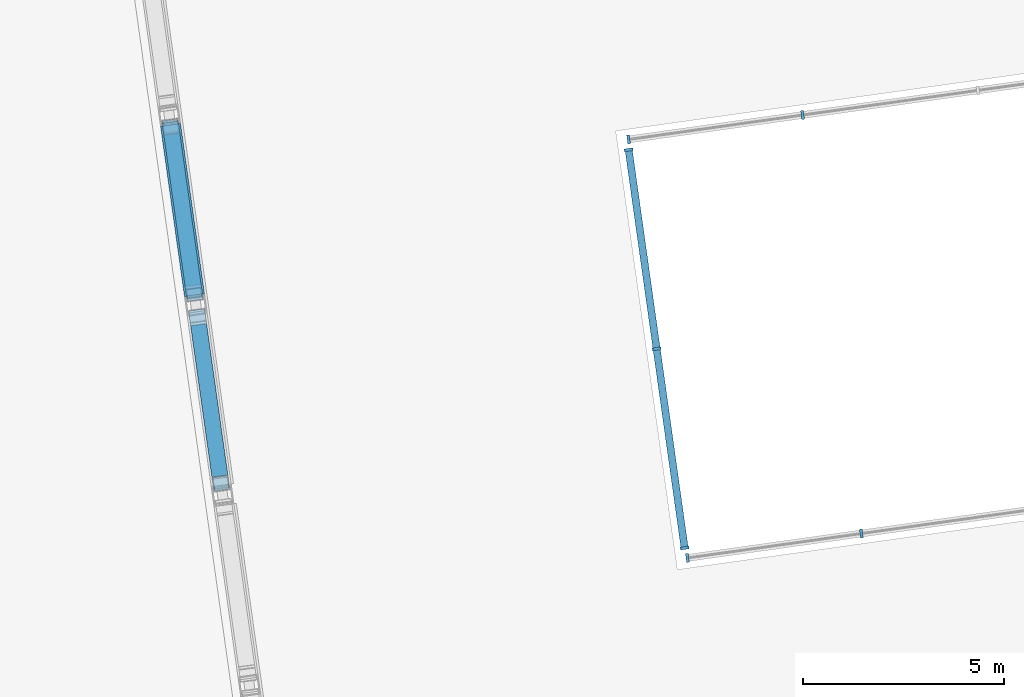
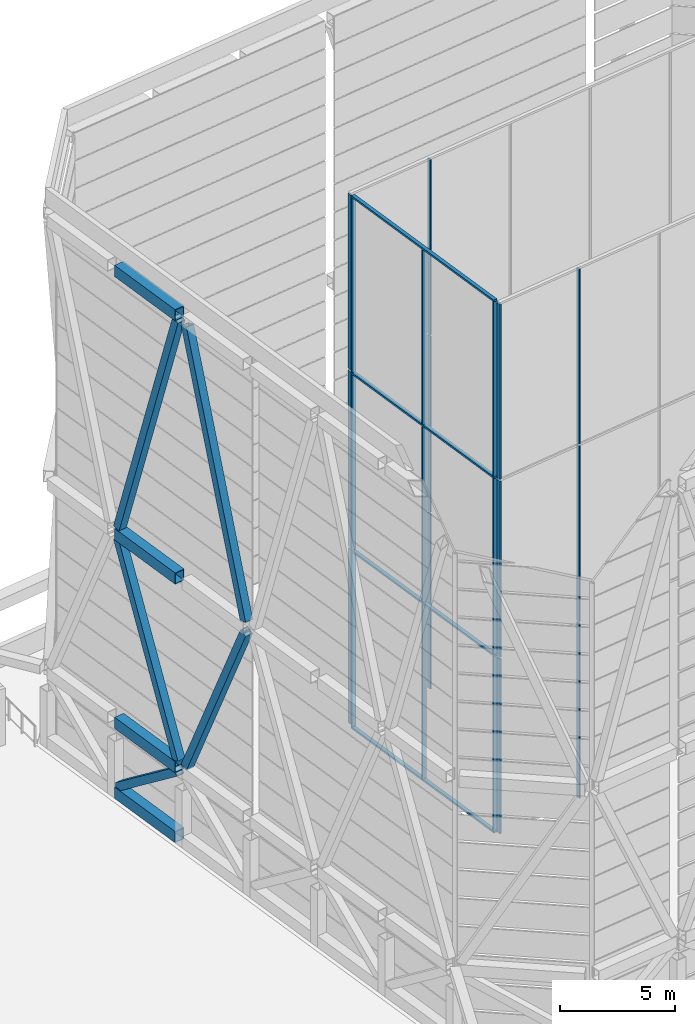
# One storey, part 11 of 45: 30 members, 4 beams, 3 elements without a shape of their own.
"""IFC4 building model written with IfcOpenShell, lengths in metres."""

from ifc_helpers import new_model, si_unit, direction, frame, origin, origin_2d, place, context, subcontext, project, spatial, rectangle, hollow_rectangle, extrude, material, material_profile, profile_set, type_object, element, aggregate, save


model = new_model("IFC4")

# Units and contexts
model_context = context("Model", 3, precision=1e-05, world=origin(), true_north=direction((0.0, 1.0)))
body_context = subcontext(model_context, "Body", "Model", "MODEL_VIEW")
ifc_project = project(units=[si_unit("LENGTHUNIT", "METRE"), si_unit("AREAUNIT", "SQUARE_METRE"), si_unit("VOLUMEUNIT", "CUBIC_METRE"), si_unit("PLANEANGLEUNIT", "RADIAN"), si_unit("MASSUNIT", "GRAM", prefix="KILO")], contexts=[model_context])

# Site, building, storey
site_placement = place(None, origin())
site = spatial("IfcSite", under=ifc_project, at=site_placement, CompositionType="ELEMENT")
building_placement = place(site_placement, origin())
building = spatial("IfcBuilding", under=site, at=building_placement, Name="Mirante Cascada Hotel Towers", CompositionType="ELEMENT")
storey_placement = place(building_placement, frame((0.0, 0.0, 269.8)))
storey = spatial("IfcBuildingStorey", under=building, at=storey_placement, Name="Roof garden", CompositionType="ELEMENT", Elevation=269.8)

# Beams
ifc_material_1 = material(Name="Steel ASTM A572 Gr 50", Category="steel")
ifc_material_profile_1 = material_profile(ifc_material_1, hollow_rectangle(XDim=0.5, YDim=0.6, WallThickness=0.03, at=origin_2d()), Name="Box beam 600x500x30 ASTM A572 Gr 50")
ifc_profile_set_1 = profile_set([ifc_material_profile_1], Name="Steel ASTM A572 Gr 50")
beam_type = type_object("IfcBeamType", Name="Box beam 600x500x30 ASTM A572 Gr 50", PredefinedType="BEAM", material=ifc_profile_set_1)
for number, where, z_axis, x_axis, name in (
    (1, (14.0162, 0.8242, 0.3), (-0.1391888, 0.9902659, 0.0), (-0.9902659, -0.1391888, 0.0), "CROWN FRAME ring beam T2 6"),
    (2, (14.0162, 0.8242, 4.0), (-0.1391888, 0.9902659, 0.0), (-0.9902659, -0.1391888, 0.0), "CROWN FRAME ring beam T2 36"),
    (3, (14.0162, 0.8242, 14.0), (-0.1391888, 0.9902659, 0.0), (-0.9902659, -0.1391888, 0.0), "CROWN FRAME ring beam T2 66"),
    (4, (14.0162, 0.8242, 27.95), (-0.1391888, 0.9902659, 0.0), (-0.9902659, -0.1391888, 0.0), "CROWN FRAME ring beam T2 96"),
):
    element("IfcBeam", number, at=place(storey_placement, frame(where, z_axis=z_axis, x_axis=x_axis)), inside=storey, type_object=beam_type, Name=name, PredefinedType="BEAM", context=body_context, shape_type="SweptSolid", body=[
        extrude(hollow_rectangle(XDim=0.5, YDim=0.6, WallThickness=0.03, at=origin_2d()), origin(), (0.0, 0.0, 1.0), 4.2712),
    ])

# Members
ifc_material_2 = material(Name="Steel ASTM A572 Gr 50", Category="steel")
ifc_material_profile_2 = material_profile(ifc_material_2, hollow_rectangle(XDim=0.4, YDim=0.4, WallThickness=0.025, at=origin_2d()), Name="Box brace 400x400x25 ASTM A572 Gr 50")
ifc_profile_set_2 = profile_set([ifc_material_profile_2], Name="Steel ASTM A572 Gr 50")
member_type_1 = type_object("IfcMemberType", Name="Box brace 400x400x25 ASTM A572 Gr 50", PredefinedType="BRACE", material=ifc_profile_set_2)
member_1_placement = place(storey_placement, frame((13.4287, 5.0043, 0.6), z_axis=(0.111699, -0.7948043, 0.5964977), x_axis=(0.9902687, 0.1391689, 0.0)))
element("IfcMember", 5, at=member_1_placement, inside=storey, type_object=member_type_1, Name="Hat truss diagonal T2 6", PredefinedType="BRACE", context=body_context, shape_type="SweptSolid", body=[
    extrude(hollow_rectangle(XDim=0.4, YDim=0.4, WallThickness=0.025, at=origin_2d()), origin(), (0.0, 0.0, 1.0), 5.197),
])
for number, where, z_axis, x_axis, name in (
    (6, (14.0927, 0.2795, 4.3), (0.0564474, -0.4016565, 0.9140491), (0.9902687, 0.1391689, 0.0), "CROWN FRAME brace T2 35"),
    (7, (14.0092, 0.8737, 4.3), (-0.0564474, 0.4016565, 0.9140491), (-0.9902687, -0.1391689, 0.0), "CROWN FRAME brace T2 36"),
):
    element("IfcMember", number, at=place(storey_placement, frame(where, z_axis=z_axis, x_axis=x_axis)), inside=storey, type_object=member_type_1, Name=name, PredefinedType="BRACE", context=body_context, shape_type="SweptSolid", body=[
        extrude(hollow_rectangle(XDim=0.4, YDim=0.4, WallThickness=0.025, at=origin_2d()), origin(), (0.0, 0.0, 1.0), 10.2839),
    ])
for number, where, z_axis, x_axis, name in (
    (8, (14.6732, -3.8511, 14.3), (-0.0415044, 0.2953283, 0.9544939), (-0.9902687, -0.1391689, 0.0), "CROWN FRAME brace T2 65"),
    (9, (13.4287, 5.0043, 14.3), (0.0415044, -0.2953283, 0.9544939), (0.9902687, 0.1391689, 0.0), "CROWN FRAME brace T2 66"),
):
    element("IfcMember", number, at=place(storey_placement, frame(where, z_axis=z_axis, x_axis=x_axis)), inside=storey, type_object=member_type_1, Name=name, PredefinedType="BRACE", context=body_context, shape_type="SweptSolid", body=[
        extrude(hollow_rectangle(XDim=0.4, YDim=0.4, WallThickness=0.025, at=origin_2d()), origin(), (0.0, 0.0, 1.0), 13.9865),
    ])

# Curtain wall, members
ifc_material_3 = material(Name="Aluminium mullion and transom frame with clear laminated glass", Category="aluminium")
curtain_wall_type = type_object("IfcCurtainWallType", Name="Atrium rooflight wall ECW6", PredefinedType="NOTDEFINED", material=ifc_material_3)
curtain_wall_1_placement = place(storey_placement, origin())
curtain_wall_1 = element("IfcCurtainWall", 10, at=curtain_wall_1_placement, inside=storey, type_object=curtain_wall_type, Name="Atrium rooflight wall T2 long rear", PredefinedType="NOTDEFINED")
ifc_material_4 = material(Name="Anodised aluminium extrusion", Category="aluminium")
ifc_material_profile_3 = material_profile(ifc_material_4, rectangle(XDim=0.22, YDim=0.07, at=origin_2d()), Name="ECW6 MULLION 70x220")
ifc_profile_set_3 = profile_set([ifc_material_profile_3], Name="Anodised aluminium extrusion")
member_type_2 = type_object("IfcMemberType", Name="ECW6 mullion 70x220", PredefinedType="MULLION", material=ifc_profile_set_3)
member_2_placement = place(storey_placement, frame((26.2644, -5.706, 0.1), z_axis=(0.0, 0.0, 1.0), x_axis=(-0.1391731, 0.9902681, 0.0)))
member_2 = element("IfcMember", 11, at=member_2_placement, type_object=member_type_2, Name="ECW6 mullion 1", PredefinedType="MULLION", context=body_context, shape_type="SweptSolid", body=[
    extrude(rectangle(XDim=0.22, YDim=0.07, at=origin_2d()), origin(), (0.0, 0.0, 1.0), 9.2667),
])
member_3_placement = place(storey_placement, frame((26.2644, -5.706, 9.4667), z_axis=(0.0, 0.0, 1.0), x_axis=(-0.1391731, 0.9902681, 0.0)))
member_3 = element("IfcMember", 12, at=member_3_placement, type_object=member_type_2, Name="ECW6 mullion 1", PredefinedType="MULLION", context=body_context, shape_type="SweptSolid", body=[
    extrude(rectangle(XDim=0.22, YDim=0.07, at=origin_2d()), origin(), (0.0, 0.0, 1.0), 9.3166),
])
member_4_placement = place(storey_placement, frame((26.2644, -5.706, 18.8833), z_axis=(0.0, 0.0, 1.0), x_axis=(-0.1391731, 0.9902681, 0.0)))
member_4 = element("IfcMember", 13, at=member_4_placement, type_object=member_type_2, Name="ECW6 mullion 1", PredefinedType="MULLION", context=body_context, shape_type="SweptSolid", body=[
    extrude(rectangle(XDim=0.22, YDim=0.07, at=origin_2d()), origin(), (0.0, 0.0, 1.0), 9.2667),
])
member_5_placement = place(storey_placement, frame((30.5869, -5.0985, 0.1), z_axis=(0.0, 0.0, 1.0), x_axis=(-0.1391731, 0.9902681, 0.0)))
member_5 = element("IfcMember", 14, at=member_5_placement, type_object=member_type_2, Name="ECW6 mullion 2", PredefinedType="MULLION", context=body_context, shape_type="SweptSolid", body=[
    extrude(rectangle(XDim=0.22, YDim=0.07, at=origin_2d()), origin(), (0.0, 0.0, 1.0), 9.2667),
])
member_6_placement = place(storey_placement, frame((30.5869, -5.0985, 9.4667), z_axis=(0.0, 0.0, 1.0), x_axis=(-0.1391731, 0.9902681, 0.0)))
member_6 = element("IfcMember", 15, at=member_6_placement, type_object=member_type_2, Name="ECW6 mullion 2", PredefinedType="MULLION", context=body_context, shape_type="SweptSolid", body=[
    extrude(rectangle(XDim=0.22, YDim=0.07, at=origin_2d()), origin(), (0.0, 0.0, 1.0), 9.3166),
])
member_7_placement = place(storey_placement, frame((30.5869, -5.0985, 18.8833), z_axis=(0.0, 0.0, 1.0), x_axis=(-0.1391731, 0.9902681, 0.0)))
member_7 = element("IfcMember", 16, at=member_7_placement, type_object=member_type_2, Name="ECW6 mullion 2", PredefinedType="MULLION", context=body_context, shape_type="SweptSolid", body=[
    extrude(rectangle(XDim=0.22, YDim=0.07, at=origin_2d()), origin(), (0.0, 0.0, 1.0), 9.2667),
])
aggregate(curtain_wall_1, [member_2, member_3, member_4, member_5, member_6, member_7])

curtain_wall_2_placement = place(storey_placement, origin())
curtain_wall_2 = element("IfcCurtainWall", 17, at=curtain_wall_2_placement, inside=storey, type_object=curtain_wall_type, Name="Atrium rooflight wall T2 long front", PredefinedType="NOTDEFINED")
member_8_placement = place(storey_placement, frame((29.1256, 5.2993, 0.1), z_axis=(0.0, 0.0, 1.0), x_axis=(0.1391731, -0.9902681, 0.0)))
member_8 = element("IfcMember", 18, at=member_8_placement, type_object=member_type_2, Name="ECW6 mullion 5", PredefinedType="MULLION", context=body_context, shape_type="SweptSolid", body=[
    extrude(rectangle(XDim=0.22, YDim=0.07, at=origin_2d()), origin(), (0.0, 0.0, 1.0), 9.2667),
])
member_9_placement = place(storey_placement, frame((29.1256, 5.2993, 9.4667), z_axis=(0.0, 0.0, 1.0), x_axis=(0.1391731, -0.9902681, 0.0)))
member_9 = element("IfcMember", 19, at=member_9_placement, type_object=member_type_2, Name="ECW6 mullion 5", PredefinedType="MULLION", context=body_context, shape_type="SweptSolid", body=[
    extrude(rectangle(XDim=0.22, YDim=0.07, at=origin_2d()), origin(), (0.0, 0.0, 1.0), 9.3166),
])
member_10_placement = place(storey_placement, frame((29.1256, 5.2993, 18.8833), z_axis=(0.0, 0.0, 1.0), x_axis=(0.1391731, -0.9902681, 0.0)))
member_10 = element("IfcMember", 20, at=member_10_placement, type_object=member_type_2, Name="ECW6 mullion 5", PredefinedType="MULLION", context=body_context, shape_type="SweptSolid", body=[
    extrude(rectangle(XDim=0.22, YDim=0.07, at=origin_2d()), origin(), (0.0, 0.0, 1.0), 9.2667),
])
member_11_placement = place(storey_placement, frame((24.8031, 4.6919, 0.1), z_axis=(0.0, 0.0, 1.0), x_axis=(0.1391731, -0.9902681, 0.0)))
member_11 = element("IfcMember", 21, at=member_11_placement, type_object=member_type_2, Name="ECW6 mullion 6", PredefinedType="MULLION", context=body_context, shape_type="SweptSolid", body=[
    extrude(rectangle(XDim=0.22, YDim=0.07, at=origin_2d()), origin(), (0.0, 0.0, 1.0), 9.2667),
])
member_12_placement = place(storey_placement, frame((24.8031, 4.6919, 9.4667), z_axis=(0.0, 0.0, 1.0), x_axis=(0.1391731, -0.9902681, 0.0)))
member_12 = element("IfcMember", 22, at=member_12_placement, type_object=member_type_2, Name="ECW6 mullion 6", PredefinedType="MULLION", context=body_context, shape_type="SweptSolid", body=[
    extrude(rectangle(XDim=0.22, YDim=0.07, at=origin_2d()), origin(), (0.0, 0.0, 1.0), 9.3166),
])
member_13_placement = place(storey_placement, frame((24.8031, 4.6919, 18.8833), z_axis=(0.0, 0.0, 1.0), x_axis=(0.1391731, -0.9902681, 0.0)))
member_13 = element("IfcMember", 23, at=member_13_placement, type_object=member_type_2, Name="ECW6 mullion 6", PredefinedType="MULLION", context=body_context, shape_type="SweptSolid", body=[
    extrude(rectangle(XDim=0.22, YDim=0.07, at=origin_2d()), origin(), (0.0, 0.0, 1.0), 9.2667),
])
aggregate(curtain_wall_2, [member_8, member_9, member_10, member_11, member_12, member_13])

curtain_wall_3_placement = place(storey_placement, origin())
curtain_wall_3 = element("IfcCurtainWall", 24, at=curtain_wall_3_placement, inside=storey, type_object=curtain_wall_type, Name="Atrium rooflight wall T2 inner", PredefinedType="NOTDEFINED")
member_14_placement = place(storey_placement, frame((24.8039, 4.4345, 0.1), z_axis=(0.0, 0.0, 1.0), x_axis=(0.9902681, 0.1391731, 0.0)))
member_14 = element("IfcMember", 25, at=member_14_placement, type_object=member_type_2, Name="ECW6 mullion 1", PredefinedType="MULLION", context=body_context, shape_type="SweptSolid", body=[
    extrude(rectangle(XDim=0.22, YDim=0.07, at=origin_2d()), origin(), (0.0, 0.0, 1.0), 9.2667),
])
member_15_placement = place(storey_placement, frame((24.8039, 4.4345, 9.4667), z_axis=(0.0, 0.0, 1.0), x_axis=(0.9902681, 0.1391731, 0.0)))
member_15 = element("IfcMember", 26, at=member_15_placement, type_object=member_type_2, Name="ECW6 mullion 1", PredefinedType="MULLION", context=body_context, shape_type="SweptSolid", body=[
    extrude(rectangle(XDim=0.22, YDim=0.07, at=origin_2d()), origin(), (0.0, 0.0, 1.0), 9.3166),
])
member_16_placement = place(storey_placement, frame((24.8039, 4.4345, 18.8833), z_axis=(0.0, 0.0, 1.0), x_axis=(0.9902681, 0.1391731, 0.0)))
member_16 = element("IfcMember", 27, at=member_16_placement, type_object=member_type_2, Name="ECW6 mullion 1", PredefinedType="MULLION", context=body_context, shape_type="SweptSolid", body=[
    extrude(rectangle(XDim=0.22, YDim=0.07, at=origin_2d()), origin(), (0.0, 0.0, 1.0), 9.2667),
])
member_17_placement = place(storey_placement, frame((25.4991, -0.5119, 0.1), z_axis=(0.0, 0.0, 1.0), x_axis=(0.9902681, 0.1391731, 0.0)))
member_17 = element("IfcMember", 28, at=member_17_placement, type_object=member_type_2, Name="ECW6 mullion 2", PredefinedType="MULLION", context=body_context, shape_type="SweptSolid", body=[
    extrude(rectangle(XDim=0.22, YDim=0.07, at=origin_2d()), origin(), (0.0, 0.0, 1.0), 9.2667),
])
member_18_placement = place(storey_placement, frame((25.4991, -0.5119, 9.4667), z_axis=(0.0, 0.0, 1.0), x_axis=(0.9902681, 0.1391731, 0.0)))
member_18 = element("IfcMember", 29, at=member_18_placement, type_object=member_type_2, Name="ECW6 mullion 2", PredefinedType="MULLION", context=body_context, shape_type="SweptSolid", body=[
    extrude(rectangle(XDim=0.22, YDim=0.07, at=origin_2d()), origin(), (0.0, 0.0, 1.0), 9.3166),
])
member_19_placement = place(storey_placement, frame((25.4991, -0.5119, 18.8833), z_axis=(0.0, 0.0, 1.0), x_axis=(0.9902681, 0.1391731, 0.0)))
member_19 = element("IfcMember", 30, at=member_19_placement, type_object=member_type_2, Name="ECW6 mullion 2", PredefinedType="MULLION", context=body_context, shape_type="SweptSolid", body=[
    extrude(rectangle(XDim=0.22, YDim=0.07, at=origin_2d()), origin(), (0.0, 0.0, 1.0), 9.2667),
])
member_20_placement = place(storey_placement, frame((26.1943, -5.4583, 0.1), z_axis=(0.0, 0.0, 1.0), x_axis=(0.9902681, 0.1391731, 0.0)))
member_20 = element("IfcMember", 31, at=member_20_placement, type_object=member_type_2, Name="ECW6 mullion 3", PredefinedType="MULLION", context=body_context, shape_type="SweptSolid", body=[
    extrude(rectangle(XDim=0.22, YDim=0.07, at=origin_2d()), origin(), (0.0, 0.0, 1.0), 9.2667),
])
member_21_placement = place(storey_placement, frame((26.1943, -5.4583, 9.4667), z_axis=(0.0, 0.0, 1.0), x_axis=(0.9902681, 0.1391731, 0.0)))
member_21 = element("IfcMember", 32, at=member_21_placement, type_object=member_type_2, Name="ECW6 mullion 3", PredefinedType="MULLION", context=body_context, shape_type="SweptSolid", body=[
    extrude(rectangle(XDim=0.22, YDim=0.07, at=origin_2d()), origin(), (0.0, 0.0, 1.0), 9.3166),
])
member_22_placement = place(storey_placement, frame((26.1943, -5.4583, 18.8833), z_axis=(0.0, 0.0, 1.0), x_axis=(0.9902681, 0.1391731, 0.0)))
member_22 = element("IfcMember", 33, at=member_22_placement, type_object=member_type_2, Name="ECW6 mullion 3", PredefinedType="MULLION", context=body_context, shape_type="SweptSolid", body=[
    extrude(rectangle(XDim=0.22, YDim=0.07, at=origin_2d()), origin(), (0.0, 0.0, 1.0), 9.2667),
])
ifc_material_5 = material(Name="Anodised aluminium extrusion", Category="aluminium")
ifc_material_profile_4 = material_profile(ifc_material_5, rectangle(XDim=0.18, YDim=0.1, at=origin_2d()), Name="ECW6 TRANSOM 100x180")
ifc_profile_set_4 = profile_set([ifc_material_profile_4], Name="Anodised aluminium extrusion")
member_type_3 = type_object("IfcMemberType", Name="ECW6 transom 100x180", PredefinedType="USERDEFINED", material=ifc_profile_set_4)
member_23_placement = place(storey_placement, frame((24.7991, 4.4691, 0.05), z_axis=(0.1391651, -0.9902692, 0.0), x_axis=(0.9902692, 0.1391651, 0.0)))
member_23 = element("IfcMember", 34, at=member_23_placement, type_object=member_type_3, Name="ECW6 sill transom", ObjectType="TRANSOM", PredefinedType="USERDEFINED", context=body_context, shape_type="SweptSolid", body=[
    extrude(rectangle(XDim=0.18, YDim=0.1, at=origin_2d()), origin(), (0.0, 0.0, 1.0), 10.06),
])
member_24_placement = place(storey_placement, frame((24.7991, 4.4691, 9.4167), z_axis=(0.1391651, -0.9902692, 0.0), x_axis=(0.9902692, 0.1391651, 0.0)))
member_24 = element("IfcMember", 35, at=member_24_placement, type_object=member_type_3, Name="ECW6 intermediate transom", ObjectType="TRANSOM", PredefinedType="USERDEFINED", context=body_context, shape_type="SweptSolid", body=[
    extrude(rectangle(XDim=0.18, YDim=0.1, at=origin_2d()), origin(), (0.0, 0.0, 1.0), 10.06),
])
member_25_placement = place(storey_placement, frame((24.7991, 4.4691, 18.8333), z_axis=(0.1391651, -0.9902692, 0.0), x_axis=(0.9902692, 0.1391651, 0.0)))
member_25 = element("IfcMember", 36, at=member_25_placement, type_object=member_type_3, Name="ECW6 intermediate transom", ObjectType="TRANSOM", PredefinedType="USERDEFINED", context=body_context, shape_type="SweptSolid", body=[
    extrude(rectangle(XDim=0.18, YDim=0.1, at=origin_2d()), origin(), (0.0, 0.0, 1.0), 10.06),
])
member_26_placement = place(storey_placement, frame((24.7991, 4.4691, 28.2), z_axis=(0.1391651, -0.9902692, 0.0), x_axis=(0.9902692, 0.1391651, 0.0)))
member_26 = element("IfcMember", 37, at=member_26_placement, type_object=member_type_3, Name="ECW6 head transom", ObjectType="TRANSOM", PredefinedType="USERDEFINED", context=body_context, shape_type="SweptSolid", body=[
    extrude(rectangle(XDim=0.18, YDim=0.1, at=origin_2d()), origin(), (0.0, 0.0, 1.0), 10.06),
])
aggregate(curtain_wall_3, [member_23, member_24, member_25, member_26, member_14, member_15, member_16, member_17, member_18, member_19, member_20, member_21, member_22])

save(model, "model.ifc")
